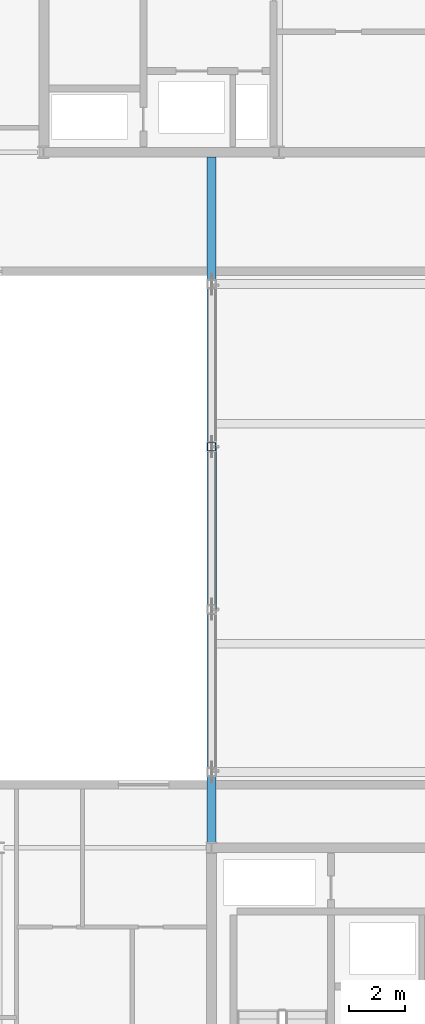
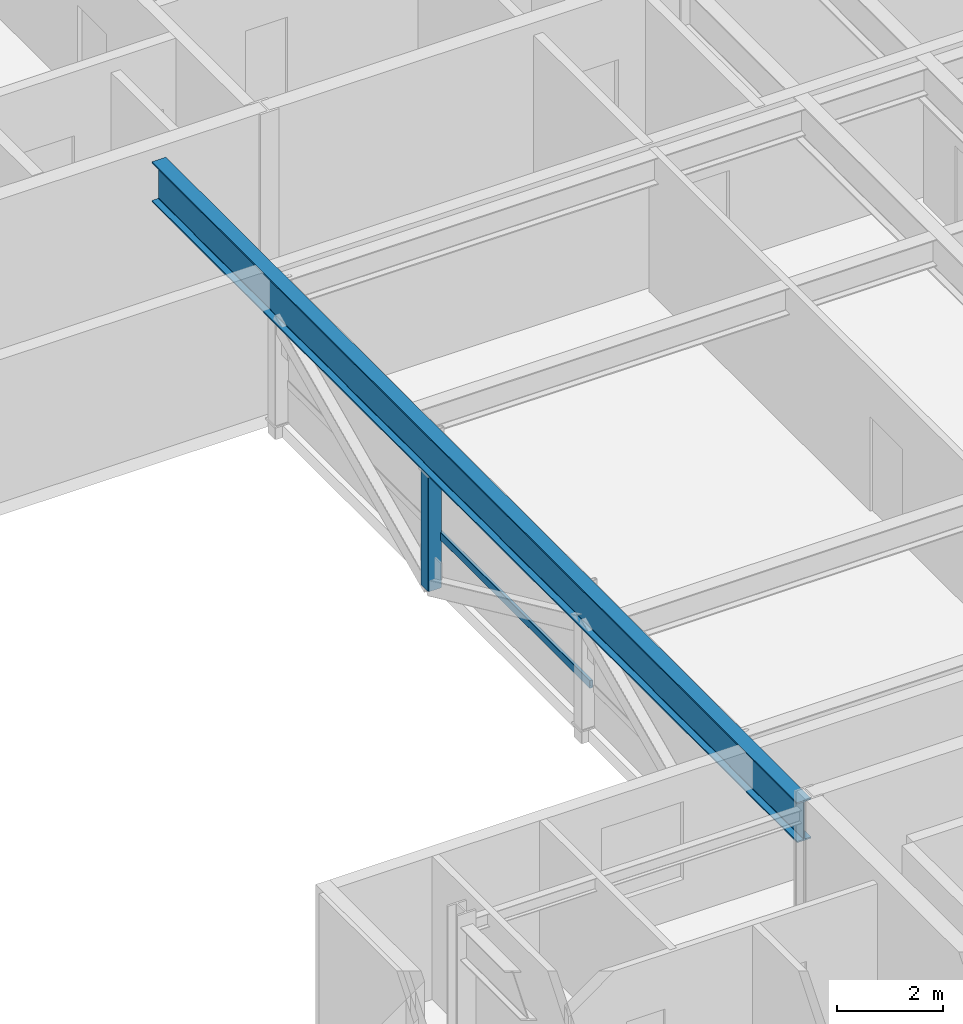
# One storey, part 5 of 36: 2 members, 1 beam, 1 element without a shape of its own.
"""IFC4 building model written with IfcOpenShell, lengths in metres."""

from ifc_helpers import new_model, si_unit, direction, frame, origin, origin_2d, place, context, subcontext, project, spatial, hollow_rectangle, i_section, extrude, material, layer, layer_set, material_profile, profile_set, type_object, element, aggregate, save


model = new_model("IFC4")

# Units and contexts
model_context = context("Model", 3, precision=1e-05, world=origin(), true_north=direction((0.0, 1.0)))
body_context = subcontext(model_context, "Body", "Model", "MODEL_VIEW")
ifc_project = project(units=[si_unit("LENGTHUNIT", "METRE"), si_unit("AREAUNIT", "SQUARE_METRE"), si_unit("VOLUMEUNIT", "CUBIC_METRE"), si_unit("PLANEANGLEUNIT", "RADIAN"), si_unit("MASSUNIT", "GRAM", prefix="KILO")], contexts=[model_context])

# Site, building, storey
site_placement = place(None, origin())
site = spatial("IfcSite", under=ifc_project, at=site_placement, CompositionType="ELEMENT")
building_placement = place(site_placement, origin())
building = spatial("IfcBuilding", under=site, at=building_placement, Name="Korimba Cascade Residences", CompositionType="ELEMENT")
storey_placement = place(building_placement, frame((0.0, 0.0, 146.5)))
storey = spatial("IfcBuildingStorey", under=building, at=storey_placement, Name="L42", CompositionType="ELEMENT", Elevation=146.5)

# Beam
ifc_material_1 = material(Name="Steel S460", Category="steel")
ifc_material_profile_1 = material_profile(ifc_material_1, i_section(OverallWidth=0.3076171875, OverallDepth=0.926513671875, WebThickness=0.01953125, FlangeThickness=0.031982421875, FilletRadius=0.01904296875, at=origin_2d()), Name="Steel S460")
ifc_profile_set_1 = profile_set([ifc_material_profile_1], Name="Steel S460")
beam_type = type_object("IfcBeamType", Name="BM-STL-UB914B", PredefinedType="BEAM", material=ifc_profile_set_1)
beam_placement = place(storey_placement, frame((82.10009765625, 30.574951171875, 2.8466796875), z_axis=(0.0, 1.0, 0.0), x_axis=(-1.0, 0.0, 0.0)))
element("IfcBeam", 1, at=beam_placement, inside=storey, type_object=beam_type, Name="L42 Rigid Mid-Bridge Truss Chord 1", PredefinedType="BEAM", context=body_context, shape_type="SweptSolid", body=[
    extrude(i_section(OverallWidth=0.3076171875, OverallDepth=0.926513671875, WebThickness=0.01953125, FlangeThickness=0.031982421875, FilletRadius=0.01904296875, at=origin_2d()), origin(), (0.0, 0.0, 1.0), 24.449951171875),
])

# Curtain wall, member
ifc_material_2 = material(Name="Anodised Aluminium Curtain Wall Framing", Category="aluminium")
ifc_layer = layer(ifc_material_2, 0.179931640625)
ifc_layer_set = layer_set([ifc_layer], Name="Anodised Aluminium Curtain Wall Framing")
curtain_wall_type = type_object("IfcCurtainWallType", Name="CW-BRG-SYS3", PredefinedType="NOTDEFINED", material=ifc_layer_set)
curtain_wall_placement = place(storey_placement, origin())
curtain_wall = element("IfcCurtainWall", 2, at=curtain_wall_placement, inside=storey, type_object=curtain_wall_type, Name="L42 Curtain Wall CW-L42-BRG-W", PredefinedType="NOTDEFINED")
ifc_material_3 = material(Name="Anodised Aluminium Transom", Category="aluminium")
ifc_material_profile_2 = material_profile(ifc_material_3, hollow_rectangle(XDim=0.070068359375, YDim=0.179931640625, WallThickness=0.0048828125, InnerFilletRadius=0.0048828125, OuterFilletRadius=0.010009765625, at=origin_2d()), Name="Anodised Aluminium Transom")
ifc_profile_set_2 = profile_set([ifc_material_profile_2], Name="Anodised Aluminium Transom")
member_type_1 = type_object("IfcMemberType", Name="CWM-TRN-150", PredefinedType="USERDEFINED", material=ifc_profile_set_2)
member_1_placement = place(storey_placement, frame((82.25, 38.89990234375, 0.89990234375), z_axis=(0.0, 1.0, 0.0), x_axis=(-1.0, 0.0, 0.0)))
member_1 = element("IfcMember", 3, at=member_1_placement, type_object=member_type_1, Name="CW-L42-BRG-W Transom 2", ObjectType="TRANSOM", PredefinedType="USERDEFINED", context=body_context, shape_type="SweptSolid", body=[
    extrude(hollow_rectangle(XDim=0.070068359375, YDim=0.179931640625, WallThickness=0.0048828125, InnerFilletRadius=0.0048828125, OuterFilletRadius=0.010009765625, at=origin_2d()), origin(), (0.0, 0.0, 1.0), 5.800048828125),
])
aggregate(curtain_wall, [member_1])

# Member
ifc_material_profile_3 = material_profile(ifc_material_1, hollow_rectangle(XDim=0.300048828125, YDim=0.300048828125, WallThickness=0.012451171875, InnerFilletRadius=0.012451171875, OuterFilletRadius=0.02490234375, at=origin_2d()), Name="Steel S460")
ifc_profile_set_3 = profile_set([ifc_material_profile_3], Name="Steel S460")
member_type_2 = type_object("IfcMemberType", Name="MEM-BRG-STR300", PredefinedType="STRUT", material=ifc_profile_set_3)
member_2_placement = place(storey_placement, frame((82.10009765625, 44.699951171875, -0.2900390625), z_axis=(0.0, 0.0, 1.0), x_axis=(1.0, 0.0, 0.0)))
element("IfcMember", 4, at=member_2_placement, inside=storey, type_object=member_type_2, Name="L42 Mid-Bridge Warren Web Post W3", PredefinedType="STRUT", context=body_context, shape_type="SweptSolid", body=[
    extrude(hollow_rectangle(XDim=0.300048828125, YDim=0.300048828125, WallThickness=0.012451171875, InnerFilletRadius=0.012451171875, OuterFilletRadius=0.02490234375, at=origin_2d()), origin(), (0.0, 0.0, 1.0), 2.67333984375),
])

save(model, "model.ifc")
